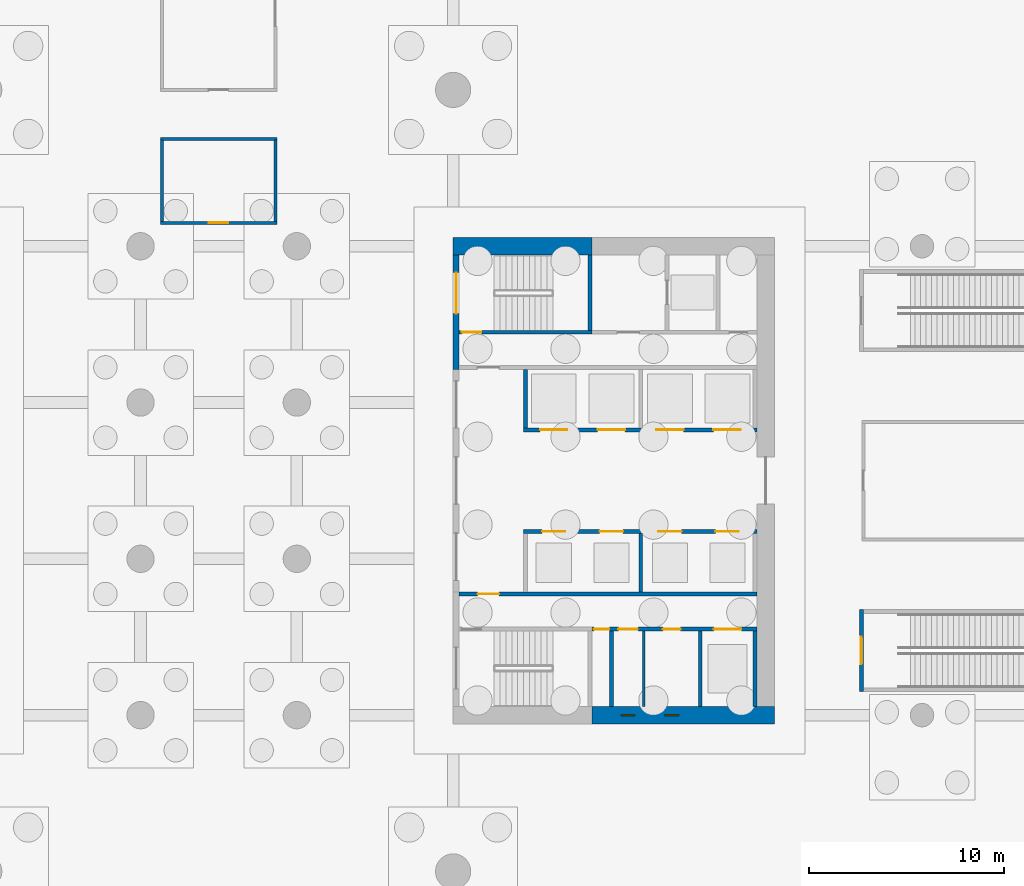
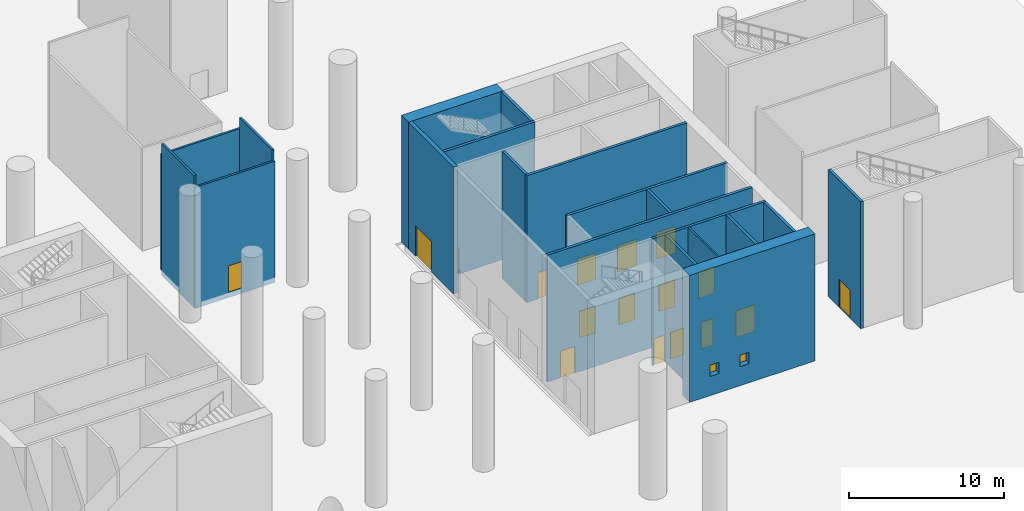
# One storey, part 6 of 14: 20 walls, 17 doors, 2 windows, 19 openings.
"""IFC4 building model written with IfcOpenShell, lengths in metres."""

from ifc_helpers import new_model, si_unit, direction, frame, frame_2d, origin, place, context, subcontext, project, spatial, rectangle, extrude, material, layer, layer_set, constituent, constituent_set, type_object, element, fill, save


model = new_model("IFC4")

# Units and contexts
model_context = context("Model", 3, precision=1e-05, world=origin(), true_north=direction((0.0, 1.0)))
body_context = subcontext(model_context, "Body", "Model", "MODEL_VIEW")
ifc_project = project(units=[si_unit("LENGTHUNIT", "METRE"), si_unit("AREAUNIT", "SQUARE_METRE"), si_unit("VOLUMEUNIT", "CUBIC_METRE"), si_unit("PLANEANGLEUNIT", "RADIAN"), si_unit("MASSUNIT", "GRAM", prefix="KILO")], contexts=[model_context])

# Site, building, storey
site_placement = place(None, origin())
site = spatial("IfcSite", under=ifc_project, at=site_placement, CompositionType="ELEMENT")
building_placement = place(site_placement, origin())
building = spatial("IfcBuilding", under=site, at=building_placement, Name="Crosswind Convention Tower", CompositionType="ELEMENT")
storey_placement = place(building_placement, origin())
storey = spatial("IfcBuildingStorey", under=building, at=storey_placement, Name="L00", CompositionType="ELEMENT", Elevation=0.0)

# Wall
ifc_material_1 = material(Name="Concrete blockwork", Category="masonry")
ifc_layer_1 = layer(ifc_material_1, 0.199951171875)
ifc_layer_set_1 = layer_set([ifc_layer_1], Name="Blockwork partition wall 200")
wall_type_1 = type_object("IfcWallType", Name="Blockwork partition wall 200", PredefinedType="PARTITIONING", material=ifc_layer_set_1)
wall_1_placement = place(storey_placement, frame((145.10009765625, 88.449951171875, 0.0), z_axis=(0.0, 0.0, 1.0), x_axis=(0.0, 1.0, 0.0)))
element("IfcWall", 1, at=wall_1_placement, inside=storey, type_object=wall_type_1, Name="Wall MRSE E L00", PredefinedType="PARTITIONING", context=body_context, shape_type="SweptSolid", body=[
    extrude(rectangle(XDim=3.85009765625, YDim=0.199951171875, at=frame_2d((1.925048828125, 0.0))), origin(), (0.0, 0.0, 1.0), 10.0),
])

# Wall, opening, door
ifc_material_2 = material(Name="Plasterboard partition", Category="gypsum")
ifc_layer_2 = layer(ifc_material_2, 0.14990234375)
ifc_layer_set_2 = layer_set([ifc_layer_2], Name="CORRIDOR WALL 150")
wall_type_2 = type_object("IfcWallType", Name="CORRIDOR WALL 150", PredefinedType="PARTITIONING", material=ifc_layer_set_2)
wall_2_placement = place(storey_placement, frame((122.02490234375, 113.199951171875, -0.39990234375), z_axis=(0.0, 0.0, 1.0), x_axis=(1.0, 0.0, 0.0)))
wall_2 = element("IfcWall", 2, at=wall_2_placement, inside=storey, type_object=wall_type_2, Name="Corridor Wall 17", PredefinedType="PARTITIONING", context=body_context, shape_type="SweptSolid", body=[
    extrude(rectangle(XDim=5.9501953125, YDim=0.14990234375, at=frame_2d((2.97509765625, 0.0))), origin(), (0.0, 0.0, 1.0), 9.539794921875),
])
opening_1_placement = place(wall_2_placement, frame((2.47509765625, 0.0, 0.39990234375)))
opening_1 = element("IfcOpeningElement", 3, at=opening_1_placement, cuts=wall_2, Name="Opening 00.003", PredefinedType="OPENING", context=body_context, shape_type="SweptSolid", body=[
    extrude(rectangle(XDim=1.0, YDim=2.10009765625, at=frame_2d((0.5, 1.050048828125))), frame((0.0, 0.0849609375, 0.0), z_axis=(0.0, -1.0, 0.0), x_axis=(1.0, 0.0, 0.0)), (0.0, 0.0, 1.0), 0.169921875),
])
ifc_material_3 = material(Name="Timber fire door", Category="wood")
door_type_1 = type_object("IfcDoorType", Name="MEETING ROOM DOOR 1000X2100", OperationType="NOTDEFINED", PredefinedType="DOOR", material=ifc_material_3)
door_1_placement = place(opening_1_placement, origin())
door_1 = element("IfcDoor", 4, at=door_1_placement, inside=storey, type_object=door_type_1, Name="Door 00.003", ObjectType="D13", OperationType="SINGLE_SWING_RIGHT", OverallHeight=2.10009765625, OverallWidth=1.0, PredefinedType="DOOR", context=body_context, shape_type="SweptSolid", body=[
    extrude(rectangle(XDim=1.0, YDim=2.10009765625, at=frame_2d((0.5, 1.050048828125))), frame((0.0, 0.02490234375, 0.0), z_axis=(0.0, -1.0, 0.0), x_axis=(1.0, 0.0, 0.0)), (0.0, 0.0, 1.0), 0.050048828125),
])
fill(opening_1, door_1)

# Walls
wall_3_placement = place(storey_placement, frame((122.02490234375, 117.5, 0.0), z_axis=(0.0, 0.0, 1.0), x_axis=(1.0, 0.0, 0.0)))
element("IfcWall", 5, at=wall_3_placement, inside=storey, type_object=wall_type_2, Name="Corridor Wall 18", PredefinedType="PARTITIONING", context=body_context, shape_type="SweptSolid", body=[
    extrude(rectangle(XDim=5.9501953125, YDim=0.14990234375, at=frame_2d((2.97509765625, 0.0))), origin(), (0.0, 0.0, 1.0), 9.139892578125),
])
for number, where, z_axis, x_axis, name in (
    (6, (122.10009765625, 113.27490234375, -0.39990234375), (0.0, 0.0, 1.0), (0.0, 1.0, 0.0), "Corridor Wall 35"),
    (7, (127.89990234375, 113.27490234375, -0.39990234375), (0.0, 0.0, 1.0), (0.0, 1.0, 0.0), "Corridor Wall 37"),
):
    element("IfcWall", number, at=place(storey_placement, frame(where, z_axis=z_axis, x_axis=x_axis)), inside=storey, type_object=wall_type_2, Name=name, PredefinedType="PARTITIONING", context=body_context, shape_type="SweptSolid", body=[
        extrude(rectangle(XDim=4.150146484375, YDim=0.14990234375, at=frame_2d((2.0751953125, 0.0))), origin(), (0.0, 0.0, 1.0), 10.39990234375),
    ])

# Wall, opening, door
ifc_material_4 = material(Name="Concrete C50/60", Category="concrete")
ifc_layer_3 = layer(ifc_material_4, 0.300048828125)
ifc_layer_set_3 = layer_set([ifc_layer_3], Name="Concrete C50/60")
wall_type_3 = type_object("IfcWallType", Name="Concrete inner core wall 300", PredefinedType="SHEAR", material=ifc_layer_set_3)
wall_4_placement = place(storey_placement, frame((137.14990234375, 105.699951171875, 0.0), z_axis=(0.0, 0.0, 1.0), x_axis=(0.0, 1.0, 0.0)))
wall_4 = element("IfcWall", 8, at=wall_4_placement, inside=storey, type_object=wall_type_3, Name="Wall EP E L00", PredefinedType="SHEAR", context=body_context, shape_type="SweptSolid", body=[
    extrude(rectangle(XDim=5.85009765625, YDim=0.300048828125, at=frame_2d((2.925048828125, 0.0))), origin(), (0.0, 0.0, 1.0), 10.0),
])
opening_2_placement = place(wall_4_placement, frame((2.85009765625, 0.0, 0.0)))
opening_2 = element("IfcOpeningElement", 9, at=opening_2_placement, cuts=wall_4, Name="Opening D107", PredefinedType="OPENING", context=body_context, shape_type="SweptSolid", body=[
    extrude(rectangle(XDim=2.10009765625, YDim=2.39990234375, at=frame_2d((1.050048828125, 1.199951171875))), frame((0.0, 0.159912109375, 0.0), z_axis=(0.0, -1.0, 0.0), x_axis=(1.0, 0.0, 0.0)), (0.0, 0.0, 1.0), 0.320068359375),
])
ifc_material_5 = material(Name="Steel fire door with glazed vision panels", Category="steel")
door_type_2 = type_object("IfcDoorType", Name="Stair discharge double door 2100x2400", OperationType="DOUBLE_DOOR_SINGLE_SWING", PredefinedType="DOOR", material=ifc_material_5)
door_2_placement = place(opening_2_placement, origin())
door_2 = element("IfcDoor", 10, at=door_2_placement, inside=storey, type_object=door_type_2, Name="Stair ST1 discharge door L00", ObjectType="D107", OperationType="DOUBLE_DOOR_SINGLE_SWING", OverallHeight=2.39990234375, OverallWidth=2.10009765625, PredefinedType="DOOR", context=body_context, shape_type="SweptSolid", body=[
    extrude(rectangle(XDim=2.10009765625, YDim=2.39990234375, at=frame_2d((1.050048828125, 1.199951171875))), frame((0.0, 0.02490234375, 0.0), z_axis=(0.0, -1.0, 0.0), x_axis=(1.0, 0.0, 0.0)), (0.0, 0.0, 1.0), 0.050048828125),
])
fill(opening_2, door_2)

# Wall
ifc_layer_4 = layer(ifc_material_4, 0.199951171875)
ifc_layer_set_4 = layer_set([ifc_layer_4], Name="Concrete C50/60")
wall_type_4 = type_object("IfcWallType", Name="Concrete shaft and stair wall 200", PredefinedType="SHEAR", material=ifc_layer_set_4)
wall_5_placement = place(storey_placement, frame((140.699951171875, 102.699951171875, 0.0), z_axis=(0.0, 0.0, 1.0), x_axis=(0.0, 1.0, 0.0)))
element("IfcWall", 11, at=wall_5_placement, inside=storey, type_object=wall_type_4, Name="Wall RPEND E L00", PredefinedType="SHEAR", context=body_context, shape_type="SweptSolid", body=[
    extrude(rectangle(XDim=3.0, YDim=0.199951171875, at=frame_2d((1.5, 0.0))), origin(), (0.0, 0.0, 1.0), 10.0),
])

# Wall, openings, doors
wall_6_placement = place(storey_placement, frame((140.60009765625, 102.60009765625, 0.0), z_axis=(0.0, 0.0, 1.0), x_axis=(1.0, 0.0, 0.0)))
wall_6 = element("IfcWall", 12, at=wall_6_placement, inside=storey, type_object=wall_type_4, Name="Wall RPFRONT E L00", PredefinedType="SHEAR", context=body_context, shape_type="SweptSolid", body=[
    extrude(rectangle(XDim=11.949951171875, YDim=0.199951171875, at=frame_2d((5.97509765625, 0.0))), origin(), (0.0, 0.0, 1.0), 10.0),
])
opening_3_placement = place(wall_6_placement, frame((0.85009765625, 0.0, 0.0)))
opening_3 = element("IfcOpeningElement", 13, at=opening_3_placement, cuts=wall_6, Name="Opening LD2", PredefinedType="OPENING", context=body_context, shape_type="SweptSolid", body=[
    extrude(rectangle(XDim=1.39990234375, YDim=2.10009765625, at=frame_2d((0.699951171875, 1.050048828125))), frame((0.0, 0.10986328125, 0.0), z_axis=(0.0, -1.0, 0.0), x_axis=(1.0, 0.0, 0.0)), (0.0, 0.0, 1.0), 0.219970703125),
])
opening_4_placement = place(wall_6_placement, frame((3.800048828125, 0.0, 0.0)))
opening_4 = element("IfcOpeningElement", 14, at=opening_4_placement, cuts=wall_6, Name="Opening LD2", PredefinedType="OPENING", context=body_context, shape_type="SweptSolid", body=[
    extrude(rectangle(XDim=1.39990234375, YDim=2.10009765625, at=frame_2d((0.699951171875, 1.050048828125))), frame((0.0, 0.10986328125, 0.0), z_axis=(0.0, -1.0, 0.0), x_axis=(1.0, 0.0, 0.0)), (0.0, 0.0, 1.0), 0.219970703125),
])
opening_5_placement = place(wall_6_placement, frame((6.800048828125, 0.0, 0.0)))
opening_5 = element("IfcOpeningElement", 15, at=opening_5_placement, cuts=wall_6, Name="Opening LD2", PredefinedType="OPENING", context=body_context, shape_type="SweptSolid", body=[
    extrude(rectangle(XDim=1.39990234375, YDim=2.10009765625, at=frame_2d((0.699951171875, 1.050048828125))), frame((0.0, 0.10986328125, 0.0), z_axis=(0.0, -1.0, 0.0), x_axis=(1.0, 0.0, 0.0)), (0.0, 0.0, 1.0), 0.219970703125),
])
opening_6_placement = place(wall_6_placement, frame((9.72509765625, 0.0, 0.0)))
opening_6 = element("IfcOpeningElement", 16, at=opening_6_placement, cuts=wall_6, Name="Opening LD2", PredefinedType="OPENING", context=body_context, shape_type="SweptSolid", body=[
    extrude(rectangle(XDim=1.39990234375, YDim=2.10009765625, at=frame_2d((0.699951171875, 1.050048828125))), frame((0.0, 0.10986328125, 0.0), z_axis=(0.0, -1.0, 0.0), x_axis=(1.0, 0.0, 0.0)), (0.0, 0.0, 1.0), 0.219970703125),
])
ifc_material_6 = material(Name="Stainless steel", Category="steel")
door_type_3 = type_object("IfcDoorType", Name="Lift landing door 1400x2100", OperationType="DOUBLE_DOOR_SLIDING", PredefinedType="DOOR", material=ifc_material_6)
door_3_placement = place(opening_3_placement, origin())
door_3 = element("IfcDoor", 17, at=door_3_placement, inside=storey, type_object=door_type_3, Name="Landing door A1 L00", ObjectType="LD2", OperationType="DOUBLE_DOOR_SLIDING", OverallHeight=2.10009765625, OverallWidth=1.39990234375, PredefinedType="DOOR", context=body_context, shape_type="SweptSolid", body=[
    extrude(rectangle(XDim=1.39990234375, YDim=2.10009765625, at=frame_2d((0.699951171875, 1.050048828125))), frame((0.0, 0.02490234375, 0.0), z_axis=(0.0, -1.0, 0.0), x_axis=(1.0, 0.0, 0.0)), (0.0, 0.0, 1.0), 0.050048828125),
])
fill(opening_3, door_3)
door_4_placement = place(opening_4_placement, origin())
door_4 = element("IfcDoor", 18, at=door_4_placement, inside=storey, type_object=door_type_3, Name="Landing door A2 L00", ObjectType="LD2", OperationType="DOUBLE_DOOR_SLIDING", OverallHeight=2.10009765625, OverallWidth=1.39990234375, PredefinedType="DOOR", context=body_context, shape_type="SweptSolid", body=[
    extrude(rectangle(XDim=1.39990234375, YDim=2.10009765625, at=frame_2d((0.699951171875, 1.050048828125))), frame((0.0, 0.02490234375, 0.0), z_axis=(0.0, -1.0, 0.0), x_axis=(1.0, 0.0, 0.0)), (0.0, 0.0, 1.0), 0.050048828125),
])
fill(opening_4, door_4)
door_5_placement = place(opening_5_placement, origin())
door_5 = element("IfcDoor", 19, at=door_5_placement, inside=storey, type_object=door_type_3, Name="Landing door A3 L00", ObjectType="LD2", OperationType="DOUBLE_DOOR_SLIDING", OverallHeight=2.10009765625, OverallWidth=1.39990234375, PredefinedType="DOOR", context=body_context, shape_type="SweptSolid", body=[
    extrude(rectangle(XDim=1.39990234375, YDim=2.10009765625, at=frame_2d((0.699951171875, 1.050048828125))), frame((0.0, 0.02490234375, 0.0), z_axis=(0.0, -1.0, 0.0), x_axis=(1.0, 0.0, 0.0)), (0.0, 0.0, 1.0), 0.050048828125),
])
fill(opening_5, door_5)
door_6_placement = place(opening_6_placement, origin())
door_6 = element("IfcDoor", 20, at=door_6_placement, inside=storey, type_object=door_type_3, Name="Landing door A4 L00", ObjectType="LD2", OperationType="DOUBLE_DOOR_SLIDING", OverallHeight=2.10009765625, OverallWidth=1.39990234375, PredefinedType="DOOR", context=body_context, shape_type="SweptSolid", body=[
    extrude(rectangle(XDim=1.39990234375, YDim=2.10009765625, at=frame_2d((0.699951171875, 1.050048828125))), frame((0.0, 0.02490234375, 0.0), z_axis=(0.0, -1.0, 0.0), x_axis=(1.0, 0.0, 0.0)), (0.0, 0.0, 1.0), 0.050048828125),
])
fill(opening_6, door_6)

# Wall
wall_7_placement = place(storey_placement, frame((146.60009765625, 94.300048828125, 0.0), z_axis=(0.0, 0.0, 1.0), x_axis=(0.0, 1.0, 0.0)))
element("IfcWall", 21, at=wall_7_placement, inside=storey, type_object=wall_type_4, Name="Wall RMSEP E L00", PredefinedType="SHEAR", context=body_context, shape_type="SweptSolid", body=[
    extrude(rectangle(XDim=3.0, YDim=0.199951171875, at=frame_2d((1.5, 0.0))), origin(), (0.0, 0.0, 1.0), 10.0),
])

# Wall, openings, doors
wall_8_placement = place(storey_placement, frame((140.60009765625, 97.39990234375, 0.0), z_axis=(0.0, 0.0, 1.0), x_axis=(1.0, 0.0, 0.0)))
wall_8 = element("IfcWall", 22, at=wall_8_placement, inside=storey, type_object=wall_type_4, Name="Wall RMFRONT E L00", PredefinedType="SHEAR", context=body_context, shape_type="SweptSolid", body=[
    extrude(rectangle(XDim=11.949951171875, YDim=0.199951171875, at=frame_2d((5.97509765625, 0.0))), origin(), (0.0, 0.0, 1.0), 10.0),
])
opening_7_placement = place(wall_8_placement, frame((0.949951171875, 0.0, 0.0)))
opening_7 = element("IfcOpeningElement", 23, at=opening_7_placement, cuts=wall_8, Name="Opening LD1", PredefinedType="OPENING", context=body_context, shape_type="SweptSolid", body=[
    extrude(rectangle(XDim=1.199951171875, YDim=2.10009765625, at=frame_2d((0.60009765625, 1.050048828125))), frame((0.0, 0.10986328125, 0.0), z_axis=(0.0, -1.0, 0.0), x_axis=(1.0, 0.0, 0.0)), (0.0, 0.0, 1.0), 0.219970703125),
])
opening_8_placement = place(wall_8_placement, frame((3.89990234375, 0.0, 0.0)))
opening_8 = element("IfcOpeningElement", 24, at=opening_8_placement, cuts=wall_8, Name="Opening LD1", PredefinedType="OPENING", context=body_context, shape_type="SweptSolid", body=[
    extrude(rectangle(XDim=1.199951171875, YDim=2.10009765625, at=frame_2d((0.60009765625, 1.050048828125))), frame((0.0, 0.10986328125, 0.0), z_axis=(0.0, -1.0, 0.0), x_axis=(1.0, 0.0, 0.0)), (0.0, 0.0, 1.0), 0.219970703125),
])
opening_9_placement = place(wall_8_placement, frame((6.89990234375, 0.0, 0.0)))
opening_9 = element("IfcOpeningElement", 25, at=opening_9_placement, cuts=wall_8, Name="Opening LD1", PredefinedType="OPENING", context=body_context, shape_type="SweptSolid", body=[
    extrude(rectangle(XDim=1.199951171875, YDim=2.10009765625, at=frame_2d((0.60009765625, 1.050048828125))), frame((0.0, 0.10986328125, 0.0), z_axis=(0.0, -1.0, 0.0), x_axis=(1.0, 0.0, 0.0)), (0.0, 0.0, 1.0), 0.219970703125),
])
opening_10_placement = place(wall_8_placement, frame((9.824951171875, 0.0, 0.0)))
opening_10 = element("IfcOpeningElement", 26, at=opening_10_placement, cuts=wall_8, Name="Opening LD1", PredefinedType="OPENING", context=body_context, shape_type="SweptSolid", body=[
    extrude(rectangle(XDim=1.199951171875, YDim=2.10009765625, at=frame_2d((0.60009765625, 1.050048828125))), frame((0.0, 0.10986328125, 0.0), z_axis=(0.0, -1.0, 0.0), x_axis=(1.0, 0.0, 0.0)), (0.0, 0.0, 1.0), 0.219970703125),
])
door_type_4 = type_object("IfcDoorType", Name="Lift landing door 1200x2100", OperationType="DOUBLE_DOOR_SLIDING", PredefinedType="DOOR", material=ifc_material_6)
door_7_placement = place(opening_7_placement, origin())
door_7 = element("IfcDoor", 27, at=door_7_placement, inside=storey, type_object=door_type_4, Name="Landing door H1 L00", ObjectType="LD1", OperationType="DOUBLE_DOOR_SLIDING", OverallHeight=2.10009765625, OverallWidth=1.199951171875, PredefinedType="DOOR", context=body_context, shape_type="SweptSolid", body=[
    extrude(rectangle(XDim=1.199951171875, YDim=2.10009765625, at=frame_2d((0.60009765625, 1.050048828125))), frame((0.0, 0.02490234375, 0.0), z_axis=(0.0, -1.0, 0.0), x_axis=(1.0, 0.0, 0.0)), (0.0, 0.0, 1.0), 0.050048828125),
])
fill(opening_7, door_7)
door_8_placement = place(opening_8_placement, origin())
door_8 = element("IfcDoor", 28, at=door_8_placement, inside=storey, type_object=door_type_4, Name="Landing door H2 L00", ObjectType="LD1", OperationType="DOUBLE_DOOR_SLIDING", OverallHeight=2.10009765625, OverallWidth=1.199951171875, PredefinedType="DOOR", context=body_context, shape_type="SweptSolid", body=[
    extrude(rectangle(XDim=1.199951171875, YDim=2.10009765625, at=frame_2d((0.60009765625, 1.050048828125))), frame((0.0, 0.02490234375, 0.0), z_axis=(0.0, -1.0, 0.0), x_axis=(1.0, 0.0, 0.0)), (0.0, 0.0, 1.0), 0.050048828125),
])
fill(opening_8, door_8)
door_9_placement = place(opening_9_placement, origin())
door_9 = element("IfcDoor", 29, at=door_9_placement, inside=storey, type_object=door_type_4, Name="Landing door H3 L00", ObjectType="LD1", OperationType="DOUBLE_DOOR_SLIDING", OverallHeight=2.10009765625, OverallWidth=1.199951171875, PredefinedType="DOOR", context=body_context, shape_type="SweptSolid", body=[
    extrude(rectangle(XDim=1.199951171875, YDim=2.10009765625, at=frame_2d((0.60009765625, 1.050048828125))), frame((0.0, 0.02490234375, 0.0), z_axis=(0.0, -1.0, 0.0), x_axis=(1.0, 0.0, 0.0)), (0.0, 0.0, 1.0), 0.050048828125),
])
fill(opening_9, door_9)
door_10_placement = place(opening_10_placement, origin())
door_10 = element("IfcDoor", 30, at=door_10_placement, inside=storey, type_object=door_type_4, Name="Landing door H4 L00", ObjectType="LD1", OperationType="DOUBLE_DOOR_SLIDING", OverallHeight=2.10009765625, OverallWidth=1.199951171875, PredefinedType="DOOR", context=body_context, shape_type="SweptSolid", body=[
    extrude(rectangle(XDim=1.199951171875, YDim=2.10009765625, at=frame_2d((0.60009765625, 1.050048828125))), frame((0.0, 0.02490234375, 0.0), z_axis=(0.0, -1.0, 0.0), x_axis=(1.0, 0.0, 0.0)), (0.0, 0.0, 1.0), 0.050048828125),
])
fill(opening_10, door_10)

# Wall
wall_9_placement = place(storey_placement, frame((144.0, 107.699951171875, 0.0), z_axis=(0.0, 0.0, 1.0), x_axis=(0.0, 1.0, 0.0)))
element("IfcWall", 31, at=wall_9_placement, inside=storey, type_object=wall_type_4, Name="Wall PSE E L00", PredefinedType="SHEAR", context=body_context, shape_type="SweptSolid", body=[
    extrude(rectangle(XDim=3.85009765625, YDim=0.199951171875, at=frame_2d((1.925048828125, 0.0))), origin(), (0.0, 0.0, 1.0), 10.0),
])

# Wall, opening, door
wall_10_placement = place(storey_placement, frame((137.300048828125, 107.60009765625, 0.0), z_axis=(0.0, 0.0, 1.0), x_axis=(1.0, 0.0, 0.0)))
wall_10 = element("IfcWall", 32, at=wall_10_placement, inside=storey, type_object=wall_type_4, Name="Wall PCW E L00", PredefinedType="SHEAR", context=body_context, shape_type="SweptSolid", body=[
    extrude(rectangle(XDim=6.800048828125, YDim=0.199951171875, at=frame_2d((3.39990234375, 0.0))), origin(), (0.0, 0.0, 1.0), 10.0),
])
opening_11_placement = place(wall_10_placement, frame((0.14990234375, 0.0, 0.0)))
opening_11 = element("IfcOpeningElement", 33, at=opening_11_placement, cuts=wall_10, Name="Opening D103", PredefinedType="OPENING", context=body_context, shape_type="SweptSolid", body=[
    extrude(rectangle(XDim=1.0, YDim=2.10009765625, at=frame_2d((0.5, 1.050048828125))), frame((0.0, 0.10986328125, 0.0), z_axis=(0.0, -1.0, 0.0), x_axis=(1.0, 0.0, 0.0)), (0.0, 0.0, 1.0), 0.219970703125),
])
ifc_material_7 = material(Name="Steel fire door", Category="steel")
door_type_5 = type_object("IfcDoorType", Name="Fire-rated single door 1000x2100", OperationType="NOTDEFINED", PredefinedType="DOOR", material=ifc_material_7)
door_11_placement = place(opening_11_placement, origin())
door_11 = element("IfcDoor", 34, at=door_11_placement, inside=storey, type_object=door_type_5, Name="Stair ST1 door L00", ObjectType="D103", OperationType="SINGLE_SWING_LEFT", OverallHeight=2.10009765625, OverallWidth=1.0, PredefinedType="DOOR", context=body_context, shape_type="SweptSolid", body=[
    extrude(rectangle(XDim=1.0, YDim=2.10009765625, at=frame_2d((0.5, 1.050048828125))), frame((0.0, 0.02490234375, 0.0), z_axis=(0.0, -1.0, 0.0), x_axis=(1.0, 0.0, 0.0)), (0.0, 0.0, 1.0), 0.050048828125),
])
fill(opening_11, door_11)

wall_11_placement = place(storey_placement, frame((137.300048828125, 94.199951171875, 0.0), z_axis=(0.0, 0.0, 1.0), x_axis=(1.0, 0.0, 0.0)))
wall_11 = element("IfcWall", 35, at=wall_11_placement, inside=storey, type_object=wall_type_4, Name="Wall HM E L00", PredefinedType="SHEAR", context=body_context, shape_type="SweptSolid", body=[
    extrude(rectangle(XDim=15.25, YDim=0.199951171875, at=frame_2d((7.625, 0.0))), origin(), (0.0, 0.0, 1.0), 10.0),
])
opening_12_placement = place(wall_11_placement, frame((0.949951171875, 0.0, 0.0)))
opening_12 = element("IfcOpeningElement", 36, at=opening_12_placement, cuts=wall_11, Name="Opening D104", PredefinedType="OPENING", context=body_context, shape_type="SweptSolid", body=[
    extrude(rectangle(XDim=1.10009765625, YDim=2.10009765625, at=frame_2d((0.550048828125, 1.050048828125))), frame((0.0, 0.10986328125, 0.0), z_axis=(0.0, -1.0, 0.0), x_axis=(1.0, 0.0, 0.0)), (0.0, 0.0, 1.0), 0.219970703125),
])
door_type_6 = type_object("IfcDoorType", Name="Fire-rated single door 1100x2100", OperationType="NOTDEFINED", PredefinedType="DOOR", material=ifc_material_7)
door_12_placement = place(opening_12_placement, frame((1.10009765625, 0.0, 0.0), z_axis=(0.0, 0.0, 1.0), x_axis=(-1.0, 0.0, 0.0)))
door_12 = element("IfcDoor", 37, at=door_12_placement, inside=storey, type_object=door_type_6, Name="Corridor door L00", ObjectType="D104", OperationType="SINGLE_SWING_RIGHT", OverallHeight=2.10009765625, OverallWidth=1.10009765625, PredefinedType="DOOR", context=body_context, shape_type="SweptSolid", body=[
    extrude(rectangle(XDim=1.10009765625, YDim=2.10009765625, at=frame_2d((0.550048828125, 1.050048828125))), frame((0.0, 0.02490234375, 0.0), z_axis=(0.0, -1.0, 0.0), x_axis=(1.0, 0.0, 0.0)), (0.0, 0.0, 1.0), 0.050048828125),
])
fill(opening_12, door_12)

# Walls
for number, where, z_axis, x_axis, name in (
    (38, (149.64990234375, 88.449951171875, 0.0), (0.0, 0.0, 1.0), (0.0, 1.0, 0.0), "Wall MFSW E L00"),
    (39, (152.449951171875, 88.449951171875, 0.0), (0.0, 0.0, 1.0), (0.0, 1.0, 0.0), "Wall MFSE E L00"),
):
    element("IfcWall", number, at=place(storey_placement, frame(where, z_axis=z_axis, x_axis=x_axis)), inside=storey, type_object=wall_type_4, Name=name, PredefinedType="SHEAR", context=body_context, shape_type="SweptSolid", body=[
        extrude(rectangle(XDim=3.85009765625, YDim=0.199951171875, at=frame_2d((1.925048828125, 0.0))), origin(), (0.0, 0.0, 1.0), 10.0),
    ])

# Wall, openings, doors
wall_12_placement = place(storey_placement, frame((144.10009765625, 92.39990234375, 0.0), z_axis=(0.0, 0.0, 1.0), x_axis=(1.0, 0.0, 0.0)))
wall_12 = element("IfcWall", 40, at=wall_12_placement, inside=storey, type_object=wall_type_4, Name="Wall MCX E L00", PredefinedType="SHEAR", context=body_context, shape_type="SweptSolid", body=[
    extrude(rectangle(XDim=8.449951171875, YDim=0.199951171875, at=frame_2d((4.22509765625, 0.0))), origin(), (0.0, 0.0, 1.0), 10.0),
])
opening_13_placement = place(wall_12_placement, frame((0.10009765625, 0.0, 0.0)))
opening_13 = element("IfcOpeningElement", 41, at=opening_13_placement, cuts=wall_12, Name="Opening D105", PredefinedType="OPENING", context=body_context, shape_type="SweptSolid", body=[
    extrude(rectangle(XDim=0.800048828125, YDim=2.10009765625, at=frame_2d((0.39990234375, 1.050048828125))), frame((0.0, 0.10986328125, 0.0), z_axis=(0.0, -1.0, 0.0), x_axis=(1.0, 0.0, 0.0)), (0.0, 0.0, 1.0), 0.219970703125),
])
opening_14_placement = place(wall_12_placement, frame((1.351806640625, 0.0, 0.0)))
opening_14 = element("IfcOpeningElement", 42, at=opening_14_placement, cuts=wall_12, Name="Opening D103", PredefinedType="OPENING", context=body_context, shape_type="SweptSolid", body=[
    extrude(rectangle(XDim=1.0, YDim=2.10009765625, at=frame_2d((0.5, 1.050048828125))), frame((0.0, 0.10986328125, 0.0), z_axis=(0.0, -1.0, 0.0), x_axis=(1.0, 0.0, 0.0)), (0.0, 0.0, 1.0), 0.219970703125),
])
opening_15_placement = place(wall_12_placement, frame((3.63916015625, 0.0, 0.0)))
opening_15 = element("IfcOpeningElement", 43, at=opening_15_placement, cuts=wall_12, Name="Opening D106", PredefinedType="OPENING", context=body_context, shape_type="SweptSolid", body=[
    extrude(rectangle(XDim=0.89990234375, YDim=2.10009765625, at=frame_2d((0.449951171875, 1.050048828125))), frame((0.0, 0.10986328125, 0.0), z_axis=(0.0, -1.0, 0.0), x_axis=(1.0, 0.0, 0.0)), (0.0, 0.0, 1.0), 0.219970703125),
])
opening_16_placement = place(wall_12_placement, frame((6.25, 0.0, 0.0)))
opening_16 = element("IfcOpeningElement", 44, at=opening_16_placement, cuts=wall_12, Name="Opening LD2", PredefinedType="OPENING", context=body_context, shape_type="SweptSolid", body=[
    extrude(rectangle(XDim=1.39990234375, YDim=2.10009765625, at=frame_2d((0.699951171875, 1.050048828125))), frame((0.0, 0.10986328125, 0.0), z_axis=(0.0, -1.0, 0.0), x_axis=(1.0, 0.0, 0.0)), (0.0, 0.0, 1.0), 0.219970703125),
])
door_13_placement = place(opening_14_placement, frame((1.0, 0.0, 0.0), z_axis=(0.0, 0.0, 1.0), x_axis=(-1.0, 0.0, 0.0)))
door_13 = element("IfcDoor", 45, at=door_13_placement, inside=storey, type_object=door_type_5, Name="Door to accessible wc L00", ObjectType="D103", OperationType="SINGLE_SWING_LEFT", OverallHeight=2.10009765625, OverallWidth=1.0, PredefinedType="DOOR", context=body_context, shape_type="SweptSolid", body=[
    extrude(rectangle(XDim=1.0, YDim=2.10009765625, at=frame_2d((0.5, 1.050048828125))), frame((0.0, 0.02490234375, 0.0), z_axis=(0.0, -1.0, 0.0), x_axis=(1.0, 0.0, 0.0)), (0.0, 0.0, 1.0), 0.050048828125),
])
fill(opening_14, door_13)
door_14_placement = place(opening_16_placement, origin())
door_14 = element("IfcDoor", 46, at=door_14_placement, inside=storey, type_object=door_type_3, Name="Landing door SV1 L00", ObjectType="LD2", OperationType="DOUBLE_DOOR_SLIDING", OverallHeight=2.10009765625, OverallWidth=1.39990234375, PredefinedType="DOOR", context=body_context, shape_type="SweptSolid", body=[
    extrude(rectangle(XDim=1.39990234375, YDim=2.10009765625, at=frame_2d((0.699951171875, 1.050048828125))), frame((0.0, 0.02490234375, 0.0), z_axis=(0.0, -1.0, 0.0), x_axis=(1.0, 0.0, 0.0)), (0.0, 0.0, 1.0), 0.050048828125),
])
fill(opening_16, door_14)
door_type_7 = type_object("IfcDoorType", Name="Riser access door 800x2100", OperationType="NOTDEFINED", PredefinedType="DOOR", material=ifc_material_7)
door_15_placement = place(opening_13_placement, frame((0.800048828125, 0.0, 0.0), z_axis=(0.0, 0.0, 1.0), x_axis=(-1.0, 0.0, 0.0)))
door_15 = element("IfcDoor", 47, at=door_15_placement, inside=storey, type_object=door_type_7, Name="Riser door L00", ObjectType="D105", OperationType="SINGLE_SWING_LEFT", OverallHeight=2.10009765625, OverallWidth=0.800048828125, PredefinedType="DOOR", context=body_context, shape_type="SweptSolid", body=[
    extrude(rectangle(XDim=0.800048828125, YDim=2.10009765625, at=frame_2d((0.39990234375, 1.050048828125))), frame((0.0, 0.02490234375, 0.0), z_axis=(0.0, -1.0, 0.0), x_axis=(1.0, 0.0, 0.0)), (0.0, 0.0, 1.0), 0.050048828125),
])
fill(opening_13, door_15)
ifc_material_8 = material(Name="Timber door", Category="wood")
door_type_8 = type_object("IfcDoorType", Name="Single leaf door 900x2100", OperationType="NOTDEFINED", PredefinedType="DOOR", material=ifc_material_8)
door_16_placement = place(opening_15_placement, frame((0.89990234375, 0.0, 0.0), z_axis=(0.0, 0.0, 1.0), x_axis=(-1.0, 0.0, 0.0)))
door_16 = element("IfcDoor", 48, at=door_16_placement, inside=storey, type_object=door_type_8, Name="Door to public wc L00", ObjectType="D106", OperationType="SINGLE_SWING_LEFT", OverallHeight=2.10009765625, OverallWidth=0.89990234375, PredefinedType="DOOR", context=body_context, shape_type="SweptSolid", body=[
    extrude(rectangle(XDim=0.89990234375, YDim=2.10009765625, at=frame_2d((0.449951171875, 1.050048828125))), frame((0.0, 0.02490234375, 0.0), z_axis=(0.0, -1.0, 0.0), x_axis=(1.0, 0.0, 0.0)), (0.0, 0.0, 1.0), 0.050048828125),
])
fill(opening_15, door_16)

# Wall
ifc_material_9 = material(Name="Gypsum plasterboard partition", Category="gypsum")
ifc_layer_5 = layer(ifc_material_9, 0.125)
ifc_layer_set_5 = layer_set([ifc_layer_5], Name="Drywall partition wall 125")
wall_type_5 = type_object("IfcWallType", Name="Drywall partition wall 125", PredefinedType="PARTITIONING", material=ifc_layer_set_5)
wall_13_placement = place(storey_placement, frame((146.76611328125, 88.449951171875, 0.0), z_axis=(0.0, 0.0, 1.0), x_axis=(0.0, 1.0, 0.0)))
element("IfcWall", 49, at=wall_13_placement, inside=storey, type_object=wall_type_5, Name="Wall MWP1 E L00", PredefinedType="PARTITIONING", context=body_context, shape_type="SweptSolid", body=[
    extrude(rectangle(XDim=3.85009765625, YDim=0.125, at=frame_2d((1.925048828125, 0.0))), origin(), (0.0, 0.0, 1.0), 10.0),
])

# Wall, opening, door
ifc_material_10 = material(Name="Concrete C40/50", Category="concrete")
ifc_layer_6 = layer(ifc_material_10, 0.199951171875)
ifc_layer_set_6 = layer_set([ifc_layer_6], Name="Concrete C40/50")
wall_type_6 = type_object("IfcWallType", Name="STAIR ENCLOSURE WALL 200", PredefinedType="SOLIDWALL", material=ifc_layer_set_6)
wall_14_placement = place(storey_placement, frame((157.89990234375, 89.199951171875, 0.0), z_axis=(0.0, 0.0, 1.0), x_axis=(0.0, 1.0, 0.0)))
wall_14 = element("IfcWall", 50, at=wall_14_placement, inside=storey, type_object=wall_type_6, Name="Stair Enclosure Wall 43", PredefinedType="SOLIDWALL", context=body_context, shape_type="SweptSolid", body=[
    extrude(rectangle(XDim=4.199951171875, YDim=0.199951171875, at=frame_2d((2.10009765625, 0.0))), origin(), (0.0, 0.0, 1.0), 10.0),
])
opening_17_placement = place(wall_14_placement, frame((1.39990234375, 0.0, 0.0)))
opening_17 = element("IfcOpeningElement", 51, at=opening_17_placement, cuts=wall_14, Name="Opening 00.006", PredefinedType="OPENING", context=body_context, shape_type="SweptSolid", body=[
    extrude(rectangle(XDim=1.39990234375, YDim=2.199951171875, at=frame_2d((0.699951171875, 1.10009765625))), frame((0.0, 0.10986328125, 0.0), z_axis=(0.0, -1.0, 0.0), x_axis=(1.0, 0.0, 0.0)), (0.0, 0.0, 1.0), 0.219970703125),
])
door_type_9 = type_object("IfcDoorType", Name="STAIR DISCHARGE DOOR 1400X2200", OperationType="DOUBLE_DOOR_SINGLE_SWING", PredefinedType="DOOR", material=ifc_material_7)
door_17_placement = place(opening_17_placement, origin())
door_17 = element("IfcDoor", 52, at=door_17_placement, inside=storey, type_object=door_type_9, Name="Door 00.006", ObjectType="D11", OperationType="DOUBLE_DOOR_SINGLE_SWING", OverallHeight=2.199951171875, OverallWidth=1.39990234375, PredefinedType="DOOR", context=body_context, shape_type="SweptSolid", body=[
    extrude(rectangle(XDim=1.39990234375, YDim=2.199951171875, at=frame_2d((0.699951171875, 1.10009765625))), frame((0.0, 0.02490234375, 0.0), z_axis=(0.0, -1.0, 0.0), x_axis=(1.0, 0.0, 0.0)), (0.0, 0.0, 1.0), 0.050048828125),
])
fill(opening_17, door_17)

# Wall
ifc_material_11 = material(Name="Concrete C60/75", Category="concrete")
ifc_constituent_1 = constituent(ifc_material_11, Name="Structure")
ifc_material_12 = material(Name="Terracotta rainscreen", Category="ceramic")
ifc_constituent_2 = constituent(ifc_material_12, Name="Facing")
ifc_constituent_set = constituent_set(constituents=[ifc_constituent_1, ifc_constituent_2], Name="Concrete C60/75, Terracotta rainscreen")
wall_type_7 = type_object("IfcWallType", Name="Terracotta rainscreen on concrete core wall 900", PredefinedType="SHEAR", material=ifc_constituent_set)
wall_15_placement = place(storey_placement, frame((137.0, 112.0, 0.0), z_axis=(0.0, 0.0, 1.0), x_axis=(1.0, 0.0, 0.0)))
element("IfcWall", 53, at=wall_15_placement, inside=storey, type_object=wall_type_7, Name="Wall N1 E L00", PredefinedType="SHEAR", context=body_context, shape_type="SweptSolid", body=[
    extrude(rectangle(XDim=7.10009765625, YDim=0.89990234375, at=frame_2d((3.550048828125, 0.0))), origin(), (0.0, 0.0, 1.0), 10.0),
])

# Wall, openings, windows
wall_16_placement = place(storey_placement, frame((144.10009765625, 88.0, 0.0), z_axis=(0.0, 0.0, 1.0), x_axis=(1.0, 0.0, 0.0)))
wall_16 = element("IfcWall", 54, at=wall_16_placement, inside=storey, type_object=wall_type_7, Name="Wall S2 E L00", PredefinedType="SHEAR", context=body_context, shape_type="SweptSolid", body=[
    extrude(rectangle(XDim=9.349853515625, YDim=0.89990234375, at=frame_2d((4.6748046875, 0.0))), origin(), (0.0, 0.0, 1.0), 10.0),
])
opening_18_placement = place(wall_16_placement, frame((1.501708984375, 0.0, 1.5)))
opening_18 = element("IfcOpeningElement", 55, at=opening_18_placement, cuts=wall_16, Name="Opening W2", PredefinedType="OPENING", context=body_context, shape_type="SweptSolid", body=[
    extrude(rectangle(XDim=0.699951171875, YDim=0.89990234375, at=frame_2d((0.35009765625, 0.449951171875))), frame((0.0, 0.4599609375, 0.0), z_axis=(0.0, -1.0, 0.0), x_axis=(1.0, 0.0, 0.0)), (0.0, 0.0, 1.0), 0.919921875),
])
opening_19_placement = place(wall_16_placement, frame((3.7392578125, 0.0, 1.5)))
opening_19 = element("IfcOpeningElement", 56, at=opening_19_placement, cuts=wall_16, Name="Opening W2", PredefinedType="OPENING", context=body_context, shape_type="SweptSolid", body=[
    extrude(rectangle(XDim=0.699951171875, YDim=0.89990234375, at=frame_2d((0.35009765625, 0.449951171875))), frame((0.0, 0.4599609375, 0.0), z_axis=(0.0, -1.0, 0.0), x_axis=(1.0, 0.0, 0.0)), (0.0, 0.0, 1.0), 0.919921875),
])
ifc_material_13 = material(Name="Obscure glass in aluminium frame", Category="aluminium")
window_type = type_object("IfcWindowType", Name="WC window 700x900", PartitioningType="SINGLE_PANEL", PredefinedType="WINDOW", material=ifc_material_13)
window_1_placement = place(opening_18_placement, origin())
window_1 = element("IfcWindow", 57, at=window_1_placement, inside=storey, type_object=window_type, Name="WC window L00", ObjectType="W2", OverallHeight=0.89990234375, OverallWidth=0.699951171875, PartitioningType="SINGLE_PANEL", PredefinedType="WINDOW", context=body_context, shape_type="SweptSolid", body=[
    extrude(rectangle(XDim=0.699951171875, YDim=0.89990234375, at=frame_2d((0.35009765625, 0.449951171875))), frame((0.0, 0.030029296875, 0.0), z_axis=(0.0, -1.0, 0.0), x_axis=(1.0, 0.0, 0.0)), (0.0, 0.0, 1.0), 0.06005859375),
])
fill(opening_18, window_1)
window_2_placement = place(opening_19_placement, origin())
window_2 = element("IfcWindow", 58, at=window_2_placement, inside=storey, type_object=window_type, Name="WC window L00", ObjectType="W2", OverallHeight=0.89990234375, OverallWidth=0.699951171875, PartitioningType="SINGLE_PANEL", PredefinedType="WINDOW", context=body_context, shape_type="SweptSolid", body=[
    extrude(rectangle(XDim=0.699951171875, YDim=0.89990234375, at=frame_2d((0.35009765625, 0.449951171875))), frame((0.0, 0.030029296875, 0.0), z_axis=(0.0, -1.0, 0.0), x_axis=(1.0, 0.0, 0.0)), (0.0, 0.0, 1.0), 0.06005859375),
])
fill(opening_19, window_2)

save(model, "model.ifc")
